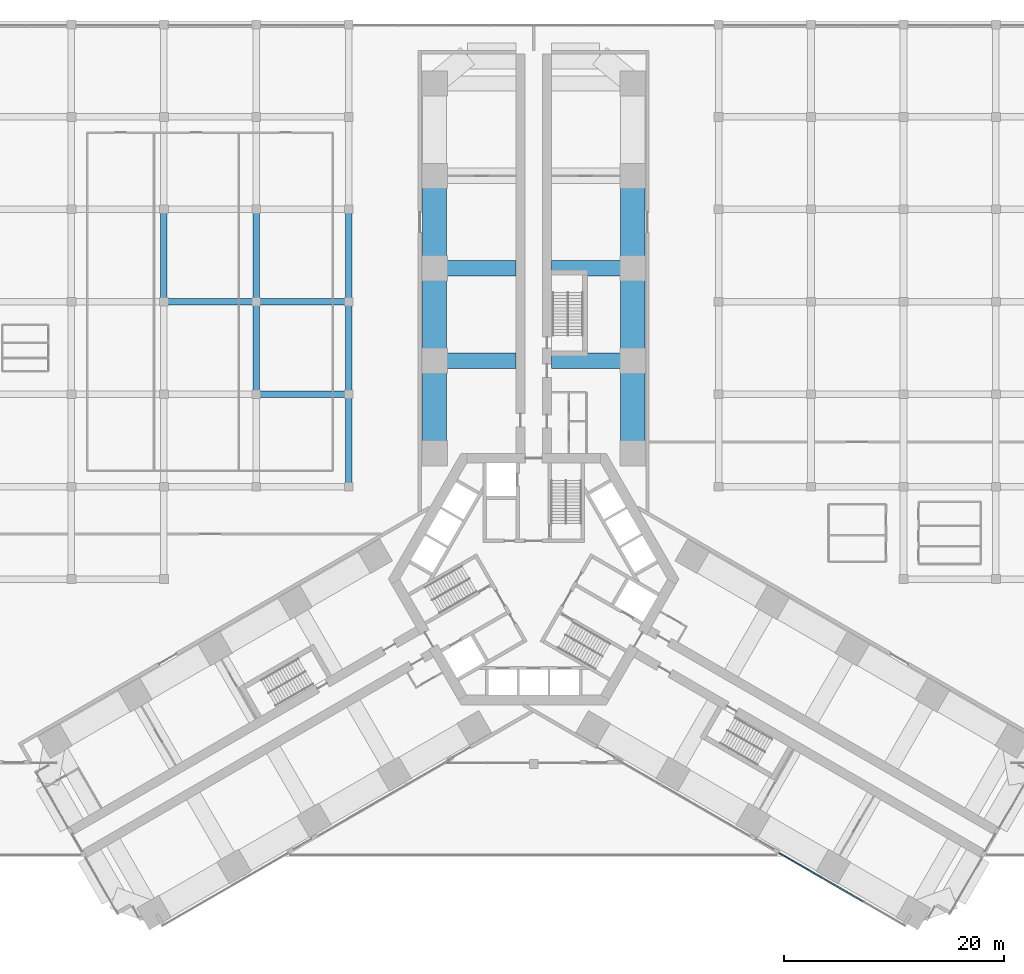
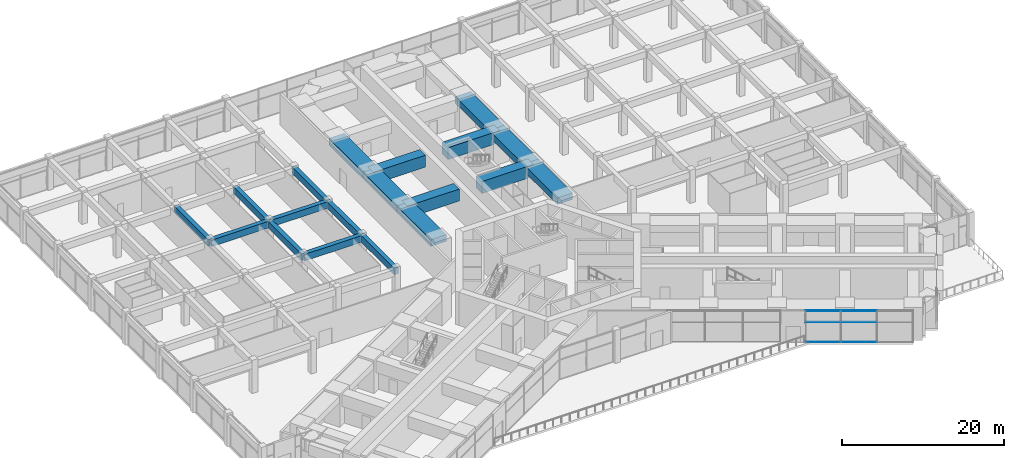
# One storey, part 10 of 34: 19 beams, 6 members, 1 element without a shape of its own.
"""IFC4 building model written with IfcOpenShell, lengths in metres."""

from ifc_helpers import new_model, si_unit, direction, frame, origin, origin_2d, place, context, subcontext, project, spatial, rectangle, extrude, material, material_profile, profile_set, type_object, element, aggregate, save


model = new_model("IFC4")

# Units and contexts
model_context = context("Model", 3, precision=1e-05, world=origin(), true_north=direction((0.0, 1.0)))
body_context = subcontext(model_context, "Body", "Model", "MODEL_VIEW")
ifc_project = project(units=[si_unit("LENGTHUNIT", "METRE"), si_unit("AREAUNIT", "SQUARE_METRE"), si_unit("VOLUMEUNIT", "CUBIC_METRE"), si_unit("PLANEANGLEUNIT", "RADIAN"), si_unit("MASSUNIT", "GRAM", prefix="KILO")], contexts=[model_context])

# Site, building, storey
site_placement = place(None, origin())
site = spatial("IfcSite", under=ifc_project, at=site_placement, CompositionType="ELEMENT")
building_placement = place(site_placement, origin())
building = spatial("IfcBuilding", under=site, at=building_placement, Name="Impinga Residences", CompositionType="ELEMENT")
storey_placement = place(building_placement, frame((0.0, 0.0, 16.0)))
storey = spatial("IfcBuildingStorey", under=building, at=storey_placement, Name="L03", CompositionType="ELEMENT", Elevation=16.0)

# Beams
ifc_material_1 = material(Name="Concrete C60/75", Category="concrete")
ifc_material_profile_1 = material_profile(ifc_material_1, rectangle(XDim=1.39990234375, YDim=1.800048828125, at=origin_2d()), Name="RC 1400x1800")
ifc_profile_set_1 = profile_set([ifc_material_profile_1], Name="Concrete C60/75")
beam_type_1 = type_object("IfcBeamType", Name="CG4 1400x1800 cross girder on a wing bay line under the podium floors", PredefinedType="BEAM", material=ifc_profile_set_1)
for number, where, z_axis, x_axis, name in (
    (1, (-1.60009765625, 19.83154296875, 3.800048828125), (-1.0, 0.0, 0.0), (0.0, -1.0, 0.0), "Beam CG4 N2 NC/NA level L04"),
    (2, (-1.60009765625, 28.2314453125, 3.800048828125), (-1.0, 0.0, 0.0), (0.0, -1.0, 0.0), "Beam CG4 N3 NC/NA level L04"),
    (3, (1.60009765625, 19.83154296875, 3.800048828125), (1.0, 0.0, 0.0), (0.0, 1.0, 0.0), "Beam CG4 N2 NC/NF level L04"),
    (4, (1.60009765625, 28.2314453125, 3.800048828125), (1.0, 0.0, 0.0), (0.0, 1.0, 0.0), "Beam CG4 N3 NC/NF level L04"),
):
    element("IfcBeam", number, at=place(storey_placement, frame(where, z_axis=z_axis, x_axis=x_axis)), inside=storey, type_object=beam_type_1, Name=name, PredefinedType="BEAM", context=body_context, shape_type="SweptSolid", body=[
        extrude(rectangle(XDim=1.39990234375, YDim=1.800048828125, at=origin_2d()), origin(), (0.0, 0.0, 1.0), 7.39990234375),
    ])

# Curtain wall, members
ifc_material_2 = material(Name="Aluminium stick curtain wall", Category="aluminium")
curtain_wall_type = type_object("IfcCurtainWallType", Name="CW1 podium amenity curtain wall", PredefinedType="USERDEFINED", material=ifc_material_2)
curtain_wall_placement = place(storey_placement, origin())
curtain_wall = element("IfcCurtainWall", 5, at=curtain_wall_placement, inside=storey, type_object=curtain_wall_type, Name="Curtain wall CW1 L03", ObjectType="STICK CURTAIN WALL", PredefinedType="USERDEFINED")
ifc_material_3 = material(Name="Aluminium transom", Category="aluminium")
ifc_material_profile_2 = material_profile(ifc_material_3, rectangle(XDim=0.06005859375, YDim=0.1201171875, at=origin_2d()), Name="60x120 transom")
ifc_profile_set_2 = profile_set([ifc_material_profile_2], Name="Aluminium transom")
member_type = type_object("IfcMemberType", Name="CW1-T transom 60x120", PredefinedType="USERDEFINED", material=ifc_profile_set_2)
member_1_placement = place(storey_placement, frame((29.930419921875, -29.289306640625, 0.030029296875), z_axis=(-0.866020224182, 0.500008971228, 0.0), x_axis=(0.0, 0.0, 1.0)))
member_1 = element("IfcMember", 6, at=member_1_placement, type_object=member_type, Name="CW1 transom 2.1", ObjectType="TRANSOM", PredefinedType="USERDEFINED", context=body_context, shape_type="SweptSolid", body=[
    extrude(rectangle(XDim=0.06005859375, YDim=0.1201171875, at=origin_2d()), origin(), (0.0, 0.0, 1.0), 4.37646484375),
])
member_2_placement = place(storey_placement, frame((29.930419921875, -29.289306640625, 3.0), z_axis=(-0.866020224182, 0.500008971228, 0.0), x_axis=(0.0, 0.0, 1.0)))
member_2 = element("IfcMember", 7, at=member_2_placement, type_object=member_type, Name="CW1 transom 2.2", ObjectType="TRANSOM", PredefinedType="USERDEFINED", context=body_context, shape_type="SweptSolid", body=[
    extrude(rectangle(XDim=0.06005859375, YDim=0.1201171875, at=origin_2d()), origin(), (0.0, 0.0, 1.0), 4.37646484375),
])
member_3_placement = place(storey_placement, frame((29.930419921875, -29.289306640625, 4.669921875), z_axis=(-0.866020224182, 0.500008971228, 0.0), x_axis=(0.0, 0.0, 1.0)))
member_3 = element("IfcMember", 8, at=member_3_placement, type_object=member_type, Name="CW1 transom 2.3", ObjectType="TRANSOM", PredefinedType="USERDEFINED", context=body_context, shape_type="SweptSolid", body=[
    extrude(rectangle(XDim=0.06005859375, YDim=0.1201171875, at=origin_2d()), origin(), (0.0, 0.0, 1.0), 4.37646484375),
])
member_4_placement = place(storey_placement, frame((26.08837890625, -27.071044921875, 0.030029296875), z_axis=(-0.866025625133, 0.499999616612, 0.0), x_axis=(0.0, 0.0, 1.0)))
member_4 = element("IfcMember", 9, at=member_4_placement, type_object=member_type, Name="CW1 transom 3.1", ObjectType="TRANSOM", PredefinedType="USERDEFINED", context=body_context, shape_type="SweptSolid", body=[
    extrude(rectangle(XDim=0.06005859375, YDim=0.1201171875, at=origin_2d()), origin(), (0.0, 0.0, 1.0), 4.34619140625),
])
member_5_placement = place(storey_placement, frame((26.08837890625, -27.071044921875, 3.0), z_axis=(-0.866025625133, 0.499999616612, 0.0), x_axis=(0.0, 0.0, 1.0)))
member_5 = element("IfcMember", 10, at=member_5_placement, type_object=member_type, Name="CW1 transom 3.2", ObjectType="TRANSOM", PredefinedType="USERDEFINED", context=body_context, shape_type="SweptSolid", body=[
    extrude(rectangle(XDim=0.06005859375, YDim=0.1201171875, at=origin_2d()), origin(), (0.0, 0.0, 1.0), 4.34619140625),
])
member_6_placement = place(storey_placement, frame((26.08837890625, -27.071044921875, 4.669921875), z_axis=(-0.866025625133, 0.499999616612, 0.0), x_axis=(0.0, 0.0, 1.0)))
member_6 = element("IfcMember", 11, at=member_6_placement, type_object=member_type, Name="CW1 transom 3.3", ObjectType="TRANSOM", PredefinedType="USERDEFINED", context=body_context, shape_type="SweptSolid", body=[
    extrude(rectangle(XDim=0.06005859375, YDim=0.1201171875, at=origin_2d()), origin(), (0.0, 0.0, 1.0), 4.34619140625),
])
aggregate(curtain_wall, [member_1, member_2, member_3, member_4, member_5, member_6])

# Beams
ifc_material_profile_3 = material_profile(ifc_material_1, rectangle(XDim=0.60009765625, YDim=1.0, at=origin_2d()), Name="RC 600x1000")
ifc_profile_set_3 = profile_set([ifc_material_profile_3], Name="Concrete C60/75")
beam_type_2 = type_object("IfcBeamType", Name="PB2 600x1000 podium beam", PredefinedType="BEAM", material=ifc_profile_set_3)
beam_1_placement = place(storey_placement, frame((-25.199951171875, 16.800048828125, 4.199951171875), z_axis=(1.0, 0.0, 0.0), x_axis=(0.0, 1.0, 0.0)))
element("IfcBeam", 12, at=beam_1_placement, inside=storey, type_object=beam_type_2, Name="Beam PB2 H/4-5 level L04", PredefinedType="BEAM", context=body_context, shape_type="SweptSolid", body=[
    extrude(rectangle(XDim=0.60009765625, YDim=1.0, at=origin_2d()), origin(), (0.0, 0.0, 1.0), 8.39990234375),
])
beam_2_placement = place(storey_placement, frame((-33.60009765625, 25.199951171875, 4.199951171875), z_axis=(1.0, 0.0, 0.0), x_axis=(0.0, 1.0, 0.0)))
element("IfcBeam", 13, at=beam_2_placement, inside=storey, type_object=beam_type_2, Name="Beam PB2 J/3-4 level L04", PredefinedType="BEAM", context=body_context, shape_type="SweptSolid", body=[
    extrude(rectangle(XDim=0.60009765625, YDim=1.0, at=origin_2d()), origin(), (0.0, 0.0, 1.0), 8.400146484375),
])
beam_3_placement = place(storey_placement, frame((-25.199951171875, 25.199951171875, 4.199951171875), z_axis=(1.0, 0.0, 0.0), x_axis=(0.0, 1.0, 0.0)))
element("IfcBeam", 14, at=beam_3_placement, inside=storey, type_object=beam_type_2, Name="Beam PB2 J/4-5 level L04", PredefinedType="BEAM", context=body_context, shape_type="SweptSolid", body=[
    extrude(rectangle(XDim=0.60009765625, YDim=1.0, at=origin_2d()), origin(), (0.0, 0.0, 1.0), 8.39990234375),
])
beam_4_placement = place(storey_placement, frame((-33.60009765625, 25.199951171875, 4.199951171875), z_axis=(0.0, 1.0, 0.0), x_axis=(-1.0, 0.0, 0.0)))
element("IfcBeam", 15, at=beam_4_placement, inside=storey, type_object=beam_type_2, Name="Beam PB2 3/J-K level L04", PredefinedType="BEAM", context=body_context, shape_type="SweptSolid", body=[
    extrude(rectangle(XDim=0.60009765625, YDim=1.0, at=origin_2d()), origin(), (0.0, 0.0, 1.0), 8.400146484375),
])
beam_5_placement = place(storey_placement, frame((-25.199951171875, 16.800048828125, 4.199951171875), z_axis=(0.0, 1.0, 0.0), x_axis=(-1.0, 0.0, 0.0)))
element("IfcBeam", 16, at=beam_5_placement, inside=storey, type_object=beam_type_2, Name="Beam PB2 4/H-J level L04", PredefinedType="BEAM", context=body_context, shape_type="SweptSolid", body=[
    extrude(rectangle(XDim=0.60009765625, YDim=1.0, at=origin_2d()), origin(), (0.0, 0.0, 1.0), 8.39990234375),
])
for number, where, z_axis, x_axis, name in (
    (17, (-25.199951171875, 25.199951171875, 4.199951171875), (0.0, 1.0, 0.0), (-1.0, 0.0, 0.0), "Beam PB2 4/J-K level L04"),
    (18, (-16.800048828125, 8.39990234375, 4.199951171875), (0.0, 1.0, 0.0), (-1.0, 0.0, 0.0), "Beam PB2 5/G-H level L04"),
):
    element("IfcBeam", number, at=place(storey_placement, frame(where, z_axis=z_axis, x_axis=x_axis)), inside=storey, type_object=beam_type_2, Name=name, PredefinedType="BEAM", context=body_context, shape_type="SweptSolid", body=[
        extrude(rectangle(XDim=0.60009765625, YDim=1.0, at=origin_2d()), origin(), (0.0, 0.0, 1.0), 8.400146484375),
    ])
beam_6_placement = place(storey_placement, frame((-16.800048828125, 16.800048828125, 4.199951171875), z_axis=(0.0, 1.0, 0.0), x_axis=(-1.0, 0.0, 0.0)))
element("IfcBeam", 19, at=beam_6_placement, inside=storey, type_object=beam_type_2, Name="Beam PB2 5/H-J level L04", PredefinedType="BEAM", context=body_context, shape_type="SweptSolid", body=[
    extrude(rectangle(XDim=0.60009765625, YDim=1.0, at=origin_2d()), origin(), (0.0, 0.0, 1.0), 8.39990234375),
])
beam_7_placement = place(storey_placement, frame((-16.800048828125, 25.199951171875, 4.199951171875), z_axis=(0.0, 1.0, 0.0), x_axis=(-1.0, 0.0, 0.0)))
element("IfcBeam", 20, at=beam_7_placement, inside=storey, type_object=beam_type_2, Name="Beam PB2 5/J-K level L04", PredefinedType="BEAM", context=body_context, shape_type="SweptSolid", body=[
    extrude(rectangle(XDim=0.60009765625, YDim=1.0, at=origin_2d()), origin(), (0.0, 0.0, 1.0), 8.400146484375),
])
ifc_material_profile_4 = material_profile(ifc_material_1, rectangle(XDim=2.199951171875, YDim=1.0, at=origin_2d()), Name="RC 2200x1000")
ifc_profile_set_4 = profile_set([ifc_material_profile_4], Name="Concrete C60/75")
beam_type_3 = type_object("IfcBeamType", Name="PB3 2200x1000 podium band beam", PredefinedType="BEAM", material=ifc_profile_set_4)
for number, where, z_axis, x_axis, name in (
    (21, (-9.0, 11.431640625, 4.199951171875), (0.0, 1.0, 0.0), (-1.0, 0.0, 0.0), "Beam PB3 NA N1-N2 level L04"),
    (22, (-9.0, 19.83154296875, 4.199951171875), (0.0, 1.0, 0.0), (-1.0, 0.0, 0.0), "Beam PB3 NA N2-N3 level L04"),
):
    element("IfcBeam", number, at=place(storey_placement, frame(where, z_axis=z_axis, x_axis=x_axis)), inside=storey, type_object=beam_type_3, Name=name, PredefinedType="BEAM", context=body_context, shape_type="SweptSolid", body=[
        extrude(rectangle(XDim=2.199951171875, YDim=1.0, at=origin_2d()), origin(), (0.0, 0.0, 1.0), 8.39990234375),
    ])
beam_8_placement = place(storey_placement, frame((-9.0, 28.2314453125, 4.199951171875), z_axis=(0.0, 1.0, 0.0), x_axis=(-1.0, 0.0, 0.0)))
element("IfcBeam", 23, at=beam_8_placement, inside=storey, type_object=beam_type_3, Name="Beam PB3 NA N3-N4 level L04", PredefinedType="BEAM", context=body_context, shape_type="SweptSolid", body=[
    extrude(rectangle(XDim=2.199951171875, YDim=1.0, at=origin_2d()), origin(), (0.0, 0.0, 1.0), 8.400146484375),
])
for number, where, z_axis, x_axis, name in (
    (24, (9.0, 11.431640625, 4.199951171875), (0.0, 1.0, 0.0), (-1.0, 0.0, 0.0), "Beam PB3 NF N1-N2 level L04"),
    (25, (9.0, 19.83154296875, 4.199951171875), (0.0, 1.0, 0.0), (-1.0, 0.0, 0.0), "Beam PB3 NF N2-N3 level L04"),
):
    element("IfcBeam", number, at=place(storey_placement, frame(where, z_axis=z_axis, x_axis=x_axis)), inside=storey, type_object=beam_type_3, Name=name, PredefinedType="BEAM", context=body_context, shape_type="SweptSolid", body=[
        extrude(rectangle(XDim=2.199951171875, YDim=1.0, at=origin_2d()), origin(), (0.0, 0.0, 1.0), 8.39990234375),
    ])
beam_9_placement = place(storey_placement, frame((9.0, 28.2314453125, 4.199951171875), z_axis=(0.0, 1.0, 0.0), x_axis=(-1.0, 0.0, 0.0)))
element("IfcBeam", 26, at=beam_9_placement, inside=storey, type_object=beam_type_3, Name="Beam PB3 NF N3-N4 level L04", PredefinedType="BEAM", context=body_context, shape_type="SweptSolid", body=[
    extrude(rectangle(XDim=2.199951171875, YDim=1.0, at=origin_2d()), origin(), (0.0, 0.0, 1.0), 8.400146484375),
])

save(model, "model.ifc")
